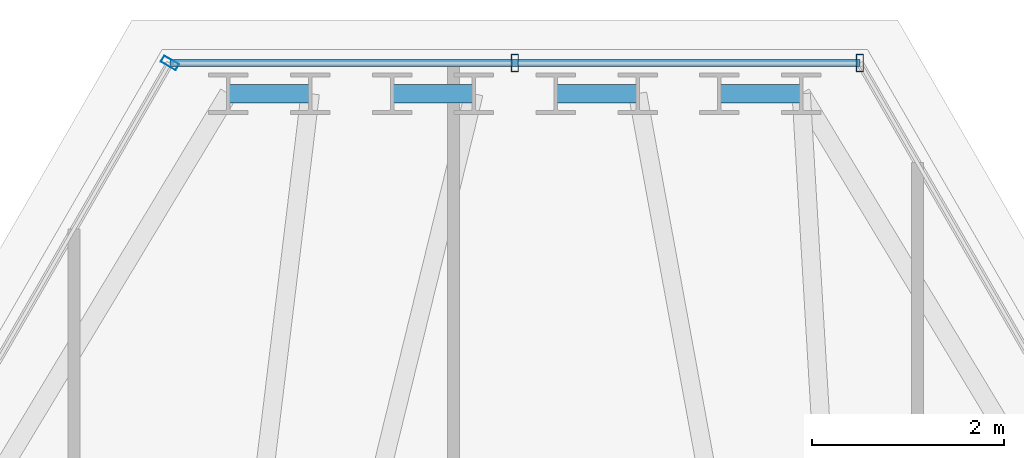
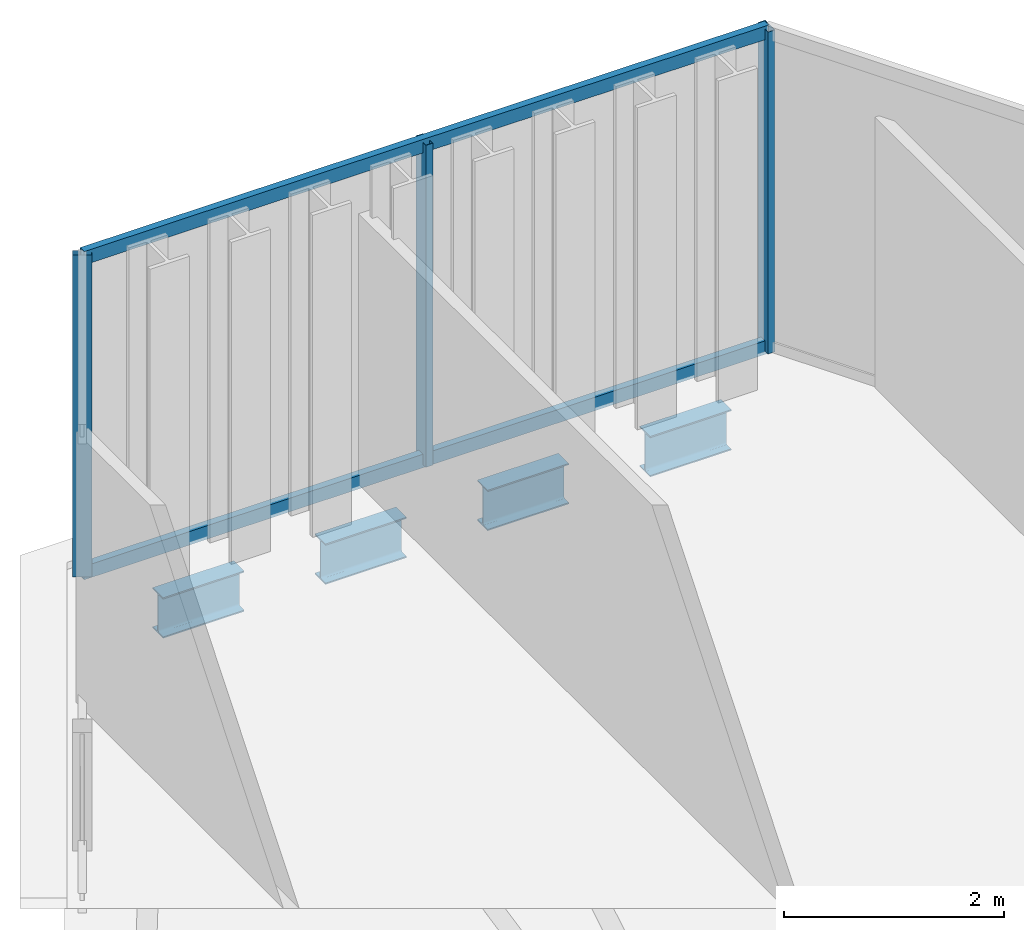
# One storey, part 22 of 29: 5 members, 4 beams, 2 elements without a shape of their own.
"""IFC4 building model written with IfcOpenShell, lengths in metres."""

import ifcopenshell
import ifcopenshell.guid

model = None  # the IFC model being written
_history = None  # IfcOwnerHistory: only IFC2X3 demands one
_inside = {}  # id of a spatial element -> (the spatial element, [elements in it])
_under = {}  # id of a project, library or spatial element -> (it, [spatial elements below it])
_declared = {}  # id of a project -> (the project, [libraries it declares])
_typed = {}  # id of a type object -> (the type object, [elements of that type])
_made_of = {}  # id of a material, layer set ... -> (it, [elements and type objects made of it])


def new_model(schema):
    """Start an empty IFC model of exactly this schema.

    Asked for "IFC4X3", IfcOpenShell would pick the latest addendum, in which some entities
    have other attributes; the version numbers below select the first issue.
    IFC2X3 requires an IfcOwnerHistory on every rooted entity: one is made here for all.
    """
    global model, _history
    if schema == "IFC4X3":
        model = ifcopenshell.file(schema_version=(4, 3, 0, 0))
    else:
        model = ifcopenshell.file(schema=schema)
    _inside.clear()
    _under.clear()
    _declared.clear()
    _typed.clear()
    _made_of.clear()
    _history = None
    if model.schema == "IFC2X3":
        org = make("IfcOrganization", Name="unknown")
        user = make(
            "IfcPersonAndOrganization",
            ThePerson=make("IfcPerson", FamilyName="unknown"),
            TheOrganization=org,
        )
        app = make(
            "IfcApplication",
            ApplicationDeveloper=org,
            Version="unknown",
            ApplicationFullName="unknown",
            ApplicationIdentifier="unknown",
        )
        _history = make(
            "IfcOwnerHistory",
            OwningUser=user,
            OwningApplication=app,
            ChangeAction="ADDED",
            CreationDate=0,
        )
    return model


def make(cls, **values):
    """One entity of the class cls with the attributes given. An attribute that is None is left unset."""
    return model.create_entity(
        cls, **{name: value for name, value in values.items() if value is not None}
    )


def rooted(cls, **values):
    """An entity with a GlobalId (a new one), such as an element, a storey or a relation."""
    return make(cls, GlobalId=ifcopenshell.guid.new(), OwnerHistory=_history, **values)


def si_unit(unit_type, name, prefix=None):
    """IfcSIUnit, for example si_unit("LENGTHUNIT", "METRE", prefix="MILLI")."""
    return make("IfcSIUnit", UnitType=unit_type, Prefix=prefix, Name=name)


def assignment(units):
    """IfcUnitAssignment: the units of a project."""
    return None if units is None else make("IfcUnitAssignment", Units=units)


def point(xyz):
    """IfcCartesianPoint."""
    return None if xyz is None else make("IfcCartesianPoint", Coordinates=xyz)


def direction(xyz):
    """IfcDirection."""
    return None if xyz is None else make("IfcDirection", DirectionRatios=xyz)


def frame(location, z_axis=None, x_axis=None):
    """IfcAxis2Placement3D, a coordinate frame: its origin and axes. An axis left out is left unset."""
    return make(
        "IfcAxis2Placement3D",
        Location=point(location),
        Axis=direction(z_axis),
        RefDirection=direction(x_axis),
    )


def frame_2d(location, x_axis=None):
    """IfcAxis2Placement2D, a coordinate frame in the plane: its origin and x axis."""
    return make(
        "IfcAxis2Placement2D", Location=point(location), RefDirection=direction(x_axis)
    )


def origin():
    """The frame at (0, 0, 0) with its axes left unset."""
    return frame((0.0, 0.0, 0.0))


def origin_2d():
    """The frame at (0, 0) in the plane with its x axis left unset."""
    return frame_2d((0.0, 0.0))


def place(relative_to, where):
    """IfcLocalPlacement: puts the frame where relative to a parent placement (None: the world)."""
    return make(
        "IfcLocalPlacement", PlacementRelTo=relative_to, RelativePlacement=where
    )


def context(
    kind, dimensions, precision=None, world=None, true_north=None, identifier=None
):
    """IfcGeometricRepresentationContext, for example the 3D "Model" context."""
    return make(
        "IfcGeometricRepresentationContext",
        ContextIdentifier=identifier,
        ContextType=kind,
        CoordinateSpaceDimension=dimensions,
        Precision=precision,
        WorldCoordinateSystem=world,
        TrueNorth=true_north,
    )


def subcontext(parent, identifier, kind, view, scale=None):
    """IfcGeometricRepresentationSubContext, for example "Body" below "Model"."""
    return make(
        "IfcGeometricRepresentationSubContext",
        ContextIdentifier=identifier,
        ContextType=kind,
        ParentContext=parent,
        TargetScale=scale,
        TargetView=view,
    )


def project(units=None, contexts=None):
    """IfcProject with its units and contexts."""
    return rooted(
        "IfcProject",
        Name="project",
        RepresentationContexts=contexts,
        UnitsInContext=assignment(units),
    )


def spatial(cls, under=None, at=None, **own):
    """A site, building, storey or space (cls), placed at a placement, below another one or the project."""
    s = rooted(cls, ObjectPlacement=at, **own)
    if under is not None:
        _under.setdefault(under.id(), (under, []))[1].append(s)
    return s


def profile(cls, at=None, kind="AREA", **sizes):
    """A parametric profile (cls). Its sizes go by their IFC names, for example OverallWidth=200.0."""
    return make(cls, ProfileType=kind, Position=at, **sizes)


def hollow_rectangle(**sizes):
    """IfcRectangleHollowProfileDef."""
    return profile("IfcRectangleHollowProfileDef", **sizes)


def i_section(**sizes):
    """IfcIShapeProfileDef."""
    return profile("IfcIShapeProfileDef", **sizes)


def extrude(swept, where, along, depth):
    """IfcExtrudedAreaSolid: the profile swept, set in the frame where, extruded along a direction by depth."""
    return make(
        "IfcExtrudedAreaSolid",
        SweptArea=swept,
        Position=where,
        ExtrudedDirection=direction(along),
        Depth=depth,
    )


def shape(context_of_items, identifier, shape_type, items):
    """IfcShapeRepresentation: the items that make up one representation, for example the "Body"."""
    return make(
        "IfcShapeRepresentation",
        ContextOfItems=context_of_items,
        RepresentationIdentifier=identifier,
        RepresentationType=shape_type,
        Items=items,
    )


def material(Name=None, Category=None):
    """IfcMaterial."""
    return make("IfcMaterial", Name=Name, Category=Category)


def layer(
    of_material, thickness, ventilated=None, Name=None, Category=None, Priority=None
):
    """IfcMaterialLayer: one layer of a wall or slab, of a material (None: an air gap)."""
    return make(
        "IfcMaterialLayer",
        Material=of_material,
        LayerThickness=thickness,
        IsVentilated=ventilated,
        Name=Name,
        Category=Category,
        Priority=Priority,
    )


def layer_set(layers, Name=None):
    """IfcMaterialLayerSet."""
    return make("IfcMaterialLayerSet", MaterialLayers=layers, LayerSetName=Name)


def material_profile(
    of_material, cross_section, Name=None, Category=None, Priority=None
):
    """IfcMaterialProfile: a cross section and its material."""
    return make(
        "IfcMaterialProfile",
        Name=Name,
        Material=of_material,
        Profile=cross_section,
        Priority=Priority,
        Category=Category,
    )


def profile_set(profiles, Name=None, composite=None):
    """IfcMaterialProfileSet."""
    return make(
        "IfcMaterialProfileSet",
        Name=Name,
        MaterialProfiles=profiles,
        CompositeProfile=composite,
    )


def made_of(thing, what):
    """Note that an element or type object is made of a material, layer set ...; save() writes the relation."""
    if what is not None:
        _made_of.setdefault(what.id(), (what, []))[1].append(thing)
    return thing


def type_object(cls, material=None, **own):
    """A type object (cls), such as IfcWallType, which elements share."""
    return made_of(rooted(cls, **own), material)


def element(
    cls,
    number,
    at=None,
    inside=None,
    cuts=None,
    type_object=None,
    material=None,
    context=None,
    identifier="Body",
    shape_type=None,
    held_by="IfcProductDefinitionShape",
    body=None,
    shapes=None,
    **own,
):
    """One element of the class cls, such as IfcWall. Its Tag is "e" and its number.

    at: its placement. inside: the storey or other place that contains it. cuts: it is an
    opening in that element (IfcRelVoidsElement). A single representation is given by context,
    identifier, shape_type and body (its items); several are given by shapes. held_by: the class
    of the entity that holds the representations. save() writes the other relations.
    """
    e = rooted(cls, Tag="e%d" % number, ObjectPlacement=at, **own)
    if body is not None:
        shapes = [shape(context, identifier, shape_type, body)]
    if shapes is not None:
        e.Representation = make(held_by, Representations=shapes)
    if inside is not None:
        _inside.setdefault(inside.id(), (inside, []))[1].append(e)
    if cuts is not None:
        rooted(
            "IfcRelVoidsElement", RelatingBuildingElement=cuts, RelatedOpeningElement=e
        )
    if type_object is not None:
        _typed.setdefault(type_object.id(), (type_object, []))[1].append(e)
    return made_of(e, material)


def aggregate(whole, parts):
    """IfcRelAggregates: a whole, such as a stair, and the parts it consists of."""
    return rooted("IfcRelAggregates", RelatingObject=whole, RelatedObjects=parts)


def save(model, path):
    """Write the relations noted so far, then the file.

    IfcRelAggregates (storeys below a building ...), IfcRelContainedInSpatialStructure (elements
    in a storey), IfcRelDefinesByType, IfcRelAssociatesMaterial and IfcRelDeclares: one each for
    every whole, place, type object, material and project.
    """
    for whole, parts in _under.values():
        aggregate(whole, parts)
    for where, things in _inside.values():
        rooted(
            "IfcRelContainedInSpatialStructure",
            RelatedElements=things,
            RelatingStructure=where,
        )
    for kind, things in _typed.values():
        rooted("IfcRelDefinesByType", RelatedObjects=things, RelatingType=kind)
    for what, things in _made_of.values():
        rooted("IfcRelAssociatesMaterial", RelatedObjects=things, RelatingMaterial=what)
    for by, libraries in _declared.values():
        rooted("IfcRelDeclares", RelatingContext=by, RelatedDefinitions=libraries)
    model.write(path)


model = new_model("IFC4")

# Units and contexts
model_context = context("Model", 3, precision=1e-05, world=origin(), true_north=direction((0.0, 1.0)))
body_context = subcontext(model_context, "Body", "Model", "MODEL_VIEW")
ifc_project = project(units=[si_unit("LENGTHUNIT", "METRE"), si_unit("AREAUNIT", "SQUARE_METRE"), si_unit("VOLUMEUNIT", "CUBIC_METRE"), si_unit("PLANEANGLEUNIT", "RADIAN"), si_unit("MASSUNIT", "GRAM", prefix="KILO")], contexts=[model_context])

# Site, building, storey
site_placement = place(None, origin())
site = spatial("IfcSite", under=ifc_project, at=site_placement, CompositionType="ELEMENT")
building_placement = place(site_placement, origin())
building = spatial("IfcBuilding", under=site, at=building_placement, Name="Ndaravel Arena Tower", CompositionType="ELEMENT")
storey_placement = place(building_placement, frame((0.0, 0.0, 229.39990234375)))
storey = spatial("IfcBuildingStorey", under=building, at=storey_placement, Name="L55", CompositionType="ELEMENT", Elevation=229.39990234375)

# Beams
ifc_material_1 = material(Name="Steel S355", Category="steel")
ifc_material_profile_1 = material_profile(ifc_material_1, i_section(OverallWidth=0.18994140625, OverallDepth=0.449951171875, WebThickness=0.009521484375, FlangeThickness=0.0146484375, FilletRadius=0.02099609375, at=origin_2d()), Name="IPE 450")
ifc_profile_set_1 = profile_set([ifc_material_profile_1], Name="Steel S355")
beam_type = type_object("IfcBeamType", Name="BM-SPAN-IPE450", PredefinedType="SPANDREL", material=ifc_profile_set_1)
for number, where, z_axis, x_axis, name in (
    (1, (44.988037109375, 44.968994140625, -0.44482421875), (-1.0, 0.0, 0.0), (0.0, -1.0, 0.0), "L55 Perimeter Spandrel Beam SP-11"),
    (2, (43.280517578125, 44.968994140625, -0.44482421875), (-1.0, 0.0, 0.0), (0.0, -1.0, 0.0), "L55 Perimeter Spandrel Beam SP-13"),
    (3, (41.572998046875, 44.968994140625, -0.44482421875), (-1.0, 0.0, 0.0), (0.0, -1.0, 0.0), "L55 Perimeter Spandrel Beam SP-15"),
    (4, (39.865478515625, 44.968994140625, -0.44482421875), (-1.0, 0.0, 0.0), (0.0, -1.0, 0.0), "L55 Perimeter Spandrel Beam SP-17"),
):
    element("IfcBeam", number, at=place(storey_placement, frame(where, z_axis=z_axis, x_axis=x_axis)), inside=storey, type_object=beam_type, Name=name, PredefinedType="SPANDREL", context=body_context, shape_type="SweptSolid", body=[
        extrude(i_section(OverallWidth=0.18994140625, OverallDepth=0.449951171875, WebThickness=0.009521484375, FlangeThickness=0.0146484375, FilletRadius=0.02099609375, at=origin_2d()), origin(), (0.0, 0.0, 1.0), 0.853515625),
    ])

# Curtain wall, members
ifc_material_2 = material(Name="Aluminium", Category="aluminium")
ifc_layer_1 = layer(ifc_material_2, 0.179931640625)
ifc_layer_set_1 = layer_set([ifc_layer_1], Name="Aluminium")
curtain_wall_type_1 = type_object("IfcCurtainWallType", Name="CW-SYS-01", PredefinedType="NOTDEFINED", material=ifc_layer_set_1)
curtain_wall_1_placement = place(storey_placement, origin())
curtain_wall_1 = element("IfcCurtainWall", 5, at=curtain_wall_1_placement, inside=storey, type_object=curtain_wall_type_1, Name="L55 Faceted Crystal Curtain Wall CW-L55-E04", PredefinedType="NOTDEFINED")
ifc_material_3 = material(Name="Aluminium", Category="aluminium")
ifc_material_profile_2 = material_profile(ifc_material_3, hollow_rectangle(XDim=0.074951171875, YDim=0.179931640625, WallThickness=0.00390625, at=origin_2d()), Name="CW MULLION 75x180x4")
ifc_profile_set_2 = profile_set([ifc_material_profile_2], Name="Aluminium")
member_type_1 = type_object("IfcMemberType", Name="MEM-CW-MUL180", PredefinedType="MULLION", material=ifc_profile_set_2)
member_1_placement = place(storey_placement, frame((45.599609375, 45.288818359375, 0.0), z_axis=(0.0, 0.0, 1.0), x_axis=(-1.0, 0.0, 0.0)))
member_1 = element("IfcMember", 6, at=member_1_placement, type_object=member_type_1, Name="CW-L55-E04 Mullion 00", PredefinedType="MULLION", context=body_context, shape_type="SweptSolid", body=[
    extrude(hollow_rectangle(XDim=0.074951171875, YDim=0.179931640625, WallThickness=0.00390625, at=origin_2d()), origin(), (0.0, 0.0, 1.0), 3.580078125),
])
member_2_placement = place(storey_placement, frame((42.0, 45.288818359375, 0.0), z_axis=(0.0, 0.0, 1.0), x_axis=(-1.0, 0.0, 0.0)))
member_2 = element("IfcMember", 7, at=member_2_placement, type_object=member_type_1, Name="CW-L55-E04 Mullion 01", PredefinedType="MULLION", context=body_context, shape_type="SweptSolid", body=[
    extrude(hollow_rectangle(XDim=0.074951171875, YDim=0.179931640625, WallThickness=0.00390625, at=origin_2d()), origin(), (0.0, 0.0, 1.0), 3.580078125),
])

# Curtain wall, member
ifc_material_4 = material(Name="Aluminium", Category="aluminium")
ifc_layer_2 = layer(ifc_material_4, 0.179931640625)
ifc_layer_set_2 = layer_set([ifc_layer_2], Name="Aluminium")
curtain_wall_type_2 = type_object("IfcCurtainWallType", Name="CW-SYS-03", PredefinedType="NOTDEFINED", material=ifc_layer_set_2)
curtain_wall_2_placement = place(storey_placement, origin())
curtain_wall_2 = element("IfcCurtainWall", 8, at=curtain_wall_2_placement, inside=storey, type_object=curtain_wall_type_2, Name="L55 Faceted Crystal Curtain Wall CW-L55-E05", PredefinedType="NOTDEFINED")
member_3_placement = place(storey_placement, frame((38.400390625, 45.288818359375, 0.0), z_axis=(0.0, 0.0, 1.0), x_axis=(-0.5, -0.866025403784, 0.0)))
member_3 = element("IfcMember", 9, at=member_3_placement, type_object=member_type_1, Name="CW-L55-E05 Mullion 00", PredefinedType="MULLION", context=body_context, shape_type="SweptSolid", body=[
    extrude(hollow_rectangle(XDim=0.074951171875, YDim=0.179931640625, WallThickness=0.00390625, at=origin_2d()), origin(), (0.0, 0.0, 1.0), 3.580078125),
])
aggregate(curtain_wall_2, [member_3])

# Member
ifc_material_5 = material(Name="Aluminium", Category="aluminium")
ifc_material_profile_3 = material_profile(ifc_material_5, hollow_rectangle(XDim=0.074951171875, YDim=0.14990234375, WallThickness=0.00390625, at=origin_2d()), Name="CW TRANSOM 75x150x4")
ifc_profile_set_3 = profile_set([ifc_material_profile_3], Name="Aluminium")
member_type_2 = type_object("IfcMemberType", Name="MEM-CW-TRN150", PredefinedType="USERDEFINED", material=ifc_profile_set_3)
member_4_placement = place(storey_placement, frame((45.599609375, 45.288818359375, 0.0400390625), z_axis=(-1.0, 0.0, 0.0), x_axis=(0.0, -1.0, 0.0)))
member_4 = element("IfcMember", 10, at=member_4_placement, type_object=member_type_2, Name="CW-L55-E04 Transom 01", ObjectType="TRANSOM", PredefinedType="USERDEFINED", context=body_context, shape_type="SweptSolid", body=[
    extrude(hollow_rectangle(XDim=0.074951171875, YDim=0.14990234375, WallThickness=0.00390625, at=origin_2d()), origin(), (0.0, 0.0, 1.0), 7.19921875),
])

member_5_placement = place(storey_placement, frame((45.599609375, 45.288818359375, 3.5400390625), z_axis=(-1.0, 0.0, 0.0), x_axis=(0.0, -1.0, 0.0)))
member_5 = element("IfcMember", 11, at=member_5_placement, type_object=member_type_2, Name="CW-L55-E04 Transom 02", ObjectType="TRANSOM", PredefinedType="USERDEFINED", context=body_context, shape_type="SweptSolid", body=[
    extrude(hollow_rectangle(XDim=0.074951171875, YDim=0.14990234375, WallThickness=0.00390625, at=origin_2d()), origin(), (0.0, 0.0, 1.0), 7.19921875),
])

aggregate(curtain_wall_1, [member_1, member_2, member_4, member_5])

save(model, "model.ifc")
